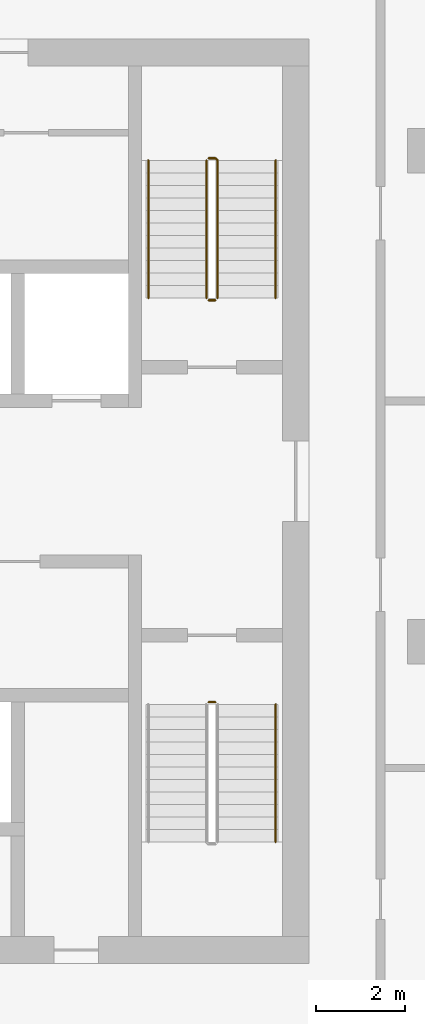
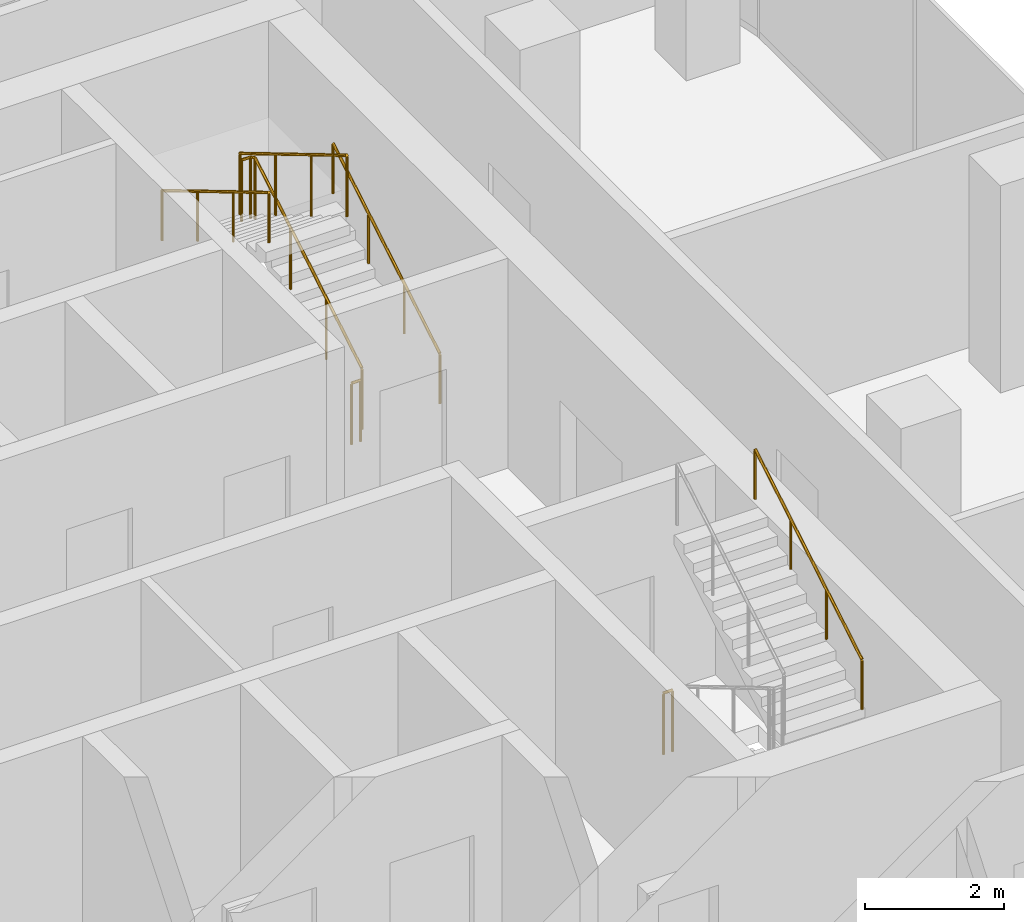
# One storey, part 12 of 12: 7 railings.
"""IFC4 building model written with IfcOpenShell, lengths in metres."""

from ifc_helpers import new_model, si_unit, direction, frame, origin, origin_2d, place, context, subcontext, project, spatial, circle, extrude, material, type_object, element, save


model = new_model("IFC4")

# Units and contexts
model_context = context("Model", 3, precision=1e-05, world=origin(), true_north=direction((0.0, 1.0)))
body_context = subcontext(model_context, "Body", "Model", "MODEL_VIEW")
ifc_project = project(units=[si_unit("LENGTHUNIT", "METRE"), si_unit("AREAUNIT", "SQUARE_METRE"), si_unit("VOLUMEUNIT", "CUBIC_METRE"), si_unit("PLANEANGLEUNIT", "RADIAN"), si_unit("MASSUNIT", "GRAM", prefix="KILO")], contexts=[model_context])

# Site, building, storey
site_placement = place(None, origin())
site = spatial("IfcSite", under=ifc_project, at=site_placement, CompositionType="ELEMENT")
building_placement = place(site_placement, origin())
building = spatial("IfcBuilding", under=site, at=building_placement, Name="Mopane Tessera Tower", CompositionType="ELEMENT")
storey_placement = place(building_placement, frame((0.0, 0.0, 349.39990234375)))
storey = spatial("IfcBuildingStorey", under=building, at=storey_placement, Name="L76", CompositionType="ELEMENT", Elevation=349.39990234375)

# Railings
ifc_material_1 = material(Name="Powder-coated steel balustrade", Category="steel")
railing_type_1 = type_object("IfcRailingType", Name="Escape stair guard 1100 mm", PredefinedType="GUARDRAIL", material=ifc_material_1)
railing_1_placement = place(storey_placement, frame((12.14990234375, -1.35009765625, 0.0)))
element("IfcRailing", 1, at=railing_1_placement, inside=storey, type_object=railing_type_1, Name="L76 ST3 stair guard 3", PredefinedType="GUARDRAIL", context=body_context, shape_type="SweptSolid", body=[
    extrude(circle(Radius=0.02392578125, at=origin_2d()), frame((0.0, 0.0, 1.076171875), z_axis=(1.0, 0.0, 0.0), x_axis=(0.0, 1.0, 0.0)), (0.0, 0.0, 1.0), 0.150146484375),
    extrude(circle(Radius=0.02099609375, at=origin_2d()), origin(), (0.0, 0.0, 1.0), 1.052001953125),
    extrude(circle(Radius=0.02099609375, at=origin_2d()), frame((0.150146484375, 0.0, 0.0)), (0.0, 0.0, 1.0), 1.052001953125),
])
railing_2_placement = place(storey_placement, frame((12.35009765625, 7.699951171875, 0.166748046875)))
element("IfcRailing", 2, at=railing_2_placement, inside=storey, type_object=railing_type_1, Name="L76 ST4 stair guard 1", PredefinedType="GUARDRAIL", context=body_context, shape_type="SweptSolid", body=[
    extrude(circle(Radius=0.02392578125, at=origin_2d()), frame((0.0, 0.0, 1.076171875), z_axis=(0.0, 0.859308565015, 0.511457515432), x_axis=(-1.0, 0.0, 0.0)), (0.0, 0.0, 1.0), 3.58447265625),
    extrude(circle(Radius=0.02392578125, at=origin_2d()), frame((0.0, 3.080078125, 2.9091796875), z_axis=(-0.707106781187, 0.707106781187, 0.0), x_axis=(-0.707106781187, -0.707106781187, 0.0)), (0.0, 0.0, 1.0), 0.07080078125),
    extrude(circle(Radius=0.02392578125, at=origin_2d()), frame((-0.050048828125, 3.130126953125, 2.9091796875), z_axis=(-1.0, 0.0, 0.0), x_axis=(0.0, -1.0, 0.0)), (0.0, 0.0, 1.0), 0.150146484375),
    extrude(circle(Radius=0.02099609375, at=origin_2d()), origin(), (0.0, 0.0, 1.0), 1.052001953125),
    extrude(circle(Radius=0.02099609375, at=origin_2d()), frame((0.0, 1.026611328125, 0.611083984375)), (0.0, 0.0, 1.0), 1.052001953125),
    extrude(circle(Radius=0.02099609375, at=origin_2d()), frame((0.0, 2.053466796875, 1.22216796875)), (0.0, 0.0, 1.0), 1.052001953125),
    extrude(circle(Radius=0.02099609375, at=origin_2d()), frame((0.0, 3.080078125, 1.833251953125)), (0.0, 0.0, 1.0), 1.052001953125),
    extrude(circle(Radius=0.02099609375, at=origin_2d()), frame((-0.050048828125, 3.130126953125, 1.833251953125)), (0.0, 0.0, 1.0), 1.052001953125),
    extrude(circle(Radius=0.02099609375, at=origin_2d()), frame((-0.2001953125, 3.130126953125, 1.833251953125)), (0.0, 0.0, 1.0), 1.052001953125),
])
railing_3_placement = place(storey_placement, frame((12.10009765625, 10.780029296875, 2.166748046875)))
element("IfcRailing", 3, at=railing_3_placement, inside=storey, type_object=railing_type_1, Name="L76 ST4 stair guard 2", PredefinedType="GUARDRAIL", context=body_context, shape_type="SweptSolid", body=[
    extrude(circle(Radius=0.02392578125, at=origin_2d()), frame((0.0, 0.0, 1.076171875), z_axis=(0.0, -0.859308565015, 0.511457515432), x_axis=(1.0, 0.0, 0.0)), (0.0, 0.0, 1.0), 3.58447265625),
    extrude(circle(Radius=0.02099609375, at=origin_2d()), origin(), (0.0, 0.0, 1.0), 1.052001953125),
    extrude(circle(Radius=0.02099609375, at=origin_2d()), frame((0.0, -1.026611328125, 0.611083984375)), (0.0, 0.0, 1.0), 1.052001953125),
    extrude(circle(Radius=0.02099609375, at=origin_2d()), frame((0.0, -2.053466796875, 1.22216796875)), (0.0, 0.0, 1.0), 1.052001953125),
    extrude(circle(Radius=0.02099609375, at=origin_2d()), frame((0.0, -3.080078125, 1.833251953125)), (0.0, 0.0, 1.0), 1.052001953125),
])
railing_4_placement = place(storey_placement, frame((12.300048828125, 7.64990234375, 0.0)))
element("IfcRailing", 4, at=railing_4_placement, inside=storey, type_object=railing_type_1, Name="L76 ST4 stair guard 3", PredefinedType="GUARDRAIL", context=body_context, shape_type="SweptSolid", body=[
    extrude(circle(Radius=0.02392578125, at=origin_2d()), frame((0.0, 0.0, 1.076171875), z_axis=(-1.0, 0.0, 0.0), x_axis=(0.0, -1.0, 0.0)), (0.0, 0.0, 1.0), 0.150146484375),
    extrude(circle(Radius=0.02099609375, at=origin_2d()), origin(), (0.0, 0.0, 1.0), 1.052001953125),
    extrude(circle(Radius=0.02099609375, at=origin_2d()), frame((-0.150146484375, 0.0, 0.0)), (0.0, 0.0, 1.0), 1.052001953125),
])
ifc_material_2 = material(Name="Powder-coated steel balustrade", Category="steel")
railing_type_2 = type_object("IfcRailingType", Name="Escape stair handrail 900 mm", PredefinedType="HANDRAIL", material=ifc_material_2)
for number, where, name in (
    (5, (13.64990234375, -4.47998046875, 2.166748046875), "L76 ST3 stair handrail 2"),
    (6, (13.64990234375, 7.699951171875, 0.166748046875), "L76 ST4 stair handrail 1"),
):
    element("IfcRailing", number, at=place(storey_placement, frame(where)), inside=storey, type_object=railing_type_2, Name=name, PredefinedType="HANDRAIL", context=body_context, shape_type="SweptSolid", body=[
        extrude(circle(Radius=0.02392578125, at=origin_2d()), frame((0.0, 0.0, 0.8759765625), z_axis=(0.0, 0.859308565015, 0.511457515432), x_axis=(-1.0, 0.0, 0.0)), (0.0, 0.0, 1.0), 3.58447265625),
        extrude(circle(Radius=0.02099609375, at=origin_2d()), origin(), (0.0, 0.0, 1.0), 0.851806640625),
        extrude(circle(Radius=0.02099609375, at=origin_2d()), frame((0.0, 1.026611328125, 0.611083984375)), (0.0, 0.0, 1.0), 0.851806640625),
        extrude(circle(Radius=0.02099609375, at=origin_2d()), frame((0.0, 2.053466796875, 1.22216796875)), (0.0, 0.0, 1.0), 0.851806640625),
        extrude(circle(Radius=0.02099609375, at=origin_2d()), frame((0.0, 3.080078125, 1.833251953125)), (0.0, 0.0, 1.0), 0.851806640625),
    ])
railing_5_placement = place(storey_placement, frame((10.800048828125, 10.780029296875, 2.166748046875)))
element("IfcRailing", 7, at=railing_5_placement, inside=storey, type_object=railing_type_2, Name="L76 ST4 stair handrail 2", PredefinedType="HANDRAIL", context=body_context, shape_type="SweptSolid", body=[
    extrude(circle(Radius=0.02392578125, at=origin_2d()), frame((0.0, 0.0, 0.8759765625), z_axis=(0.0, -0.859308565015, 0.511457515432), x_axis=(1.0, 0.0, 0.0)), (0.0, 0.0, 1.0), 3.58447265625),
    extrude(circle(Radius=0.02099609375, at=origin_2d()), origin(), (0.0, 0.0, 1.0), 0.851806640625),
    extrude(circle(Radius=0.02099609375, at=origin_2d()), frame((0.0, -1.026611328125, 0.611083984375)), (0.0, 0.0, 1.0), 0.851806640625),
    extrude(circle(Radius=0.02099609375, at=origin_2d()), frame((0.0, -2.053466796875, 1.22216796875)), (0.0, 0.0, 1.0), 0.851806640625),
    extrude(circle(Radius=0.02099609375, at=origin_2d()), frame((0.0, -3.080078125, 1.833251953125)), (0.0, 0.0, 1.0), 0.851806640625),
])

save(model, "model.ifc")
